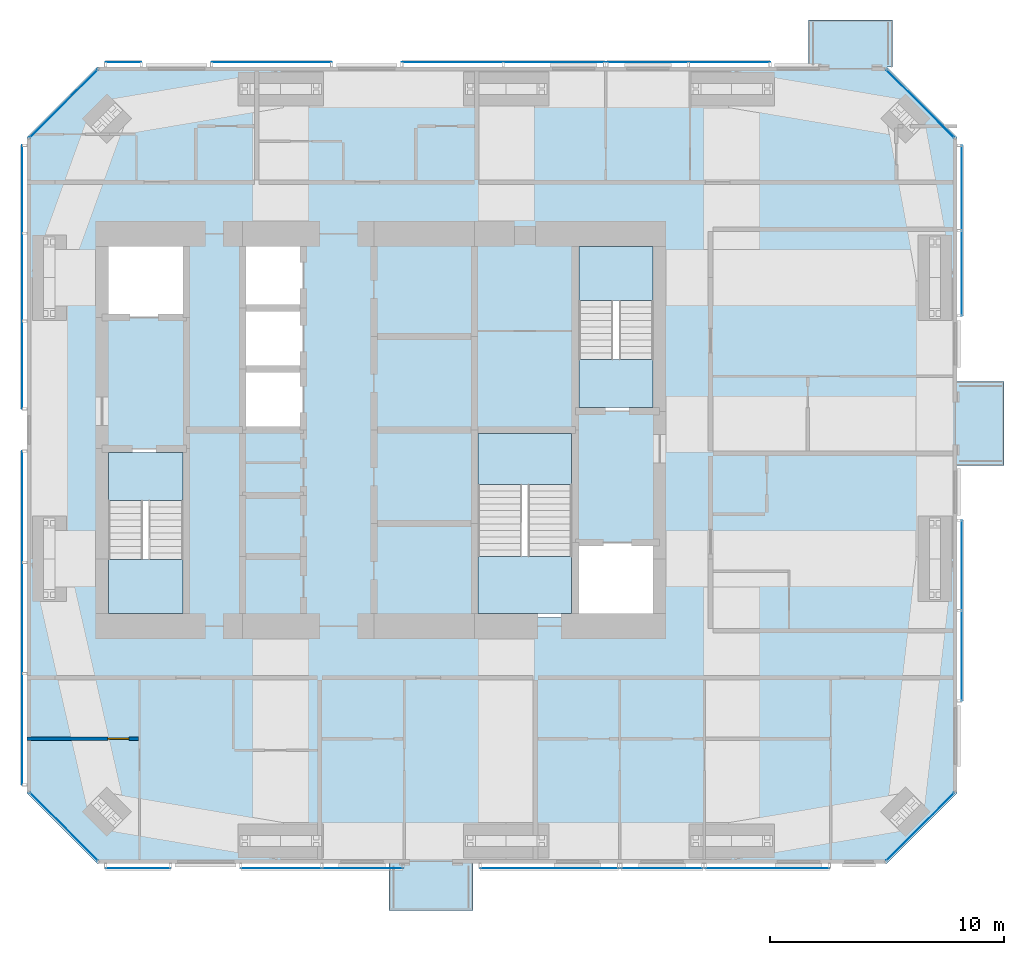
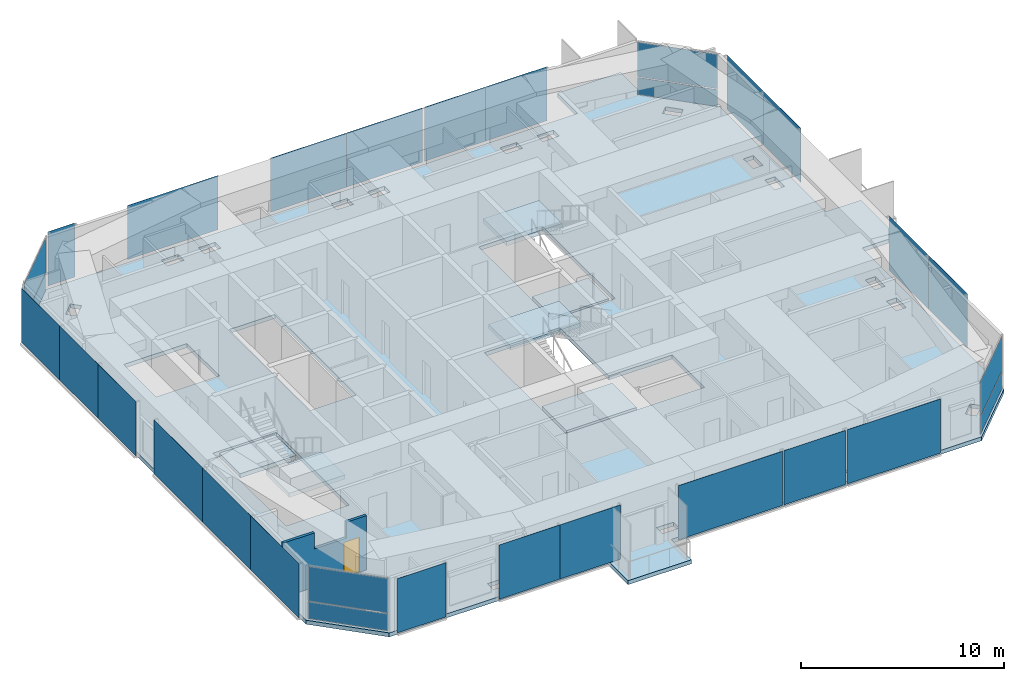
# One storey, part 11 of 18: 30 plates, 7 slabs, 1 door, 1 wall, 1 opening, 20 elements without a shape of their own.
"""IFC4 building model written with IfcOpenShell, lengths in metres."""

from ifc_helpers import new_model, si_unit, direction, frame, frame_2d, origin, origin_2d, place, context, subcontext, project, spatial, polyline, rectangle, outline, extrude, material, layer, layer_set, constituent, constituent_set, type_object, element, fill, aggregate, save


model = new_model("IFC4")

# Units and contexts
model_context = context("Model", 3, precision=1e-05, world=origin(), true_north=direction((0.0, 1.0)))
body_context = subcontext(model_context, "Body", "Model", "MODEL_VIEW")
ifc_project = project(units=[si_unit("LENGTHUNIT", "METRE"), si_unit("AREAUNIT", "SQUARE_METRE"), si_unit("VOLUMEUNIT", "CUBIC_METRE"), si_unit("PLANEANGLEUNIT", "RADIAN"), si_unit("MASSUNIT", "GRAM", prefix="KILO")], contexts=[model_context])

# Site, building, storey
site_placement = place(None, origin())
site = spatial("IfcSite", under=ifc_project, at=site_placement, CompositionType="ELEMENT")
building_placement = place(site_placement, origin())
building = spatial("IfcBuilding", under=site, at=building_placement, Name="Jalousie Tower", CompositionType="ELEMENT")
storey_placement = place(building_placement, frame((0.0, 0.0, 228.449951171875)))
storey = spatial("IfcBuildingStorey", under=building, at=storey_placement, Name="L62", CompositionType="ELEMENT", Elevation=228.449951171875)

# Curtain wall, plates
ifc_material_1 = material(Name="Aluminium curtain wall", Category="aluminium")
curtain_wall_type_1 = type_object("IfcCurtainWallType", Name="CORNER WINDOW WALL", PredefinedType="USERDEFINED", material=ifc_material_1)
curtain_wall_1_placement = place(storey_placement, origin())
curtain_wall_1 = element("IfcCurtainWall", 1, at=curtain_wall_1_placement, inside=storey, type_object=curtain_wall_type_1, Name="Corner Window Wall L62 2", ObjectType="CORNER WINDOW WALL", PredefinedType="USERDEFINED")
ifc_material_2 = material(Name="Laminated impact-rated spandrel glass", Category="glass")
ifc_layer_1 = layer(ifc_material_2, 0.028076171875)
ifc_layer_set_1 = layer_set([ifc_layer_1], Name="Laminated impact-rated spandrel glass")
plate_type_1 = type_object("IfcPlateType", Name="CORNER WINDOW WALL PANEL", PredefinedType="CURTAIN_PANEL", material=ifc_layer_set_1)
plate_1_placement = place(storey_placement, frame((54.9306640625, 1.5693359375, 0.06005859375), z_axis=(0.0, 0.0, 1.0), x_axis=(0.707106781187, 0.707106781187, 0.0)))
plate_1 = element("IfcPlate", 2, at=plate_1_placement, type_object=plate_type_1, Name="CW-C panel 1.1", PredefinedType="CURTAIN_PANEL", context=body_context, shape_type="SweptSolid", body=[
    extrude(rectangle(XDim=4.071533203125, YDim=0.028076171875, at=origin_2d()), origin(), (0.0, 0.0, 1.0), 1.010009765625),
])
plate_2_placement = place(storey_placement, frame((54.9306640625, 1.5693359375, 1.1298828125), z_axis=(0.0, 0.0, 1.0), x_axis=(0.707106781187, 0.707106781187, 0.0)))
plate_2 = element("IfcPlate", 3, at=plate_2_placement, type_object=plate_type_1, Name="CW-C panel 1.2", PredefinedType="CURTAIN_PANEL", context=body_context, shape_type="SweptSolid", body=[
    extrude(rectangle(XDim=4.071533203125, YDim=0.028076171875, at=origin_2d()), origin(), (0.0, 0.0, 1.0), 2.070068359375),
])
aggregate(curtain_wall_1, [plate_1, plate_2])

curtain_wall_2_placement = place(storey_placement, origin())
curtain_wall_2 = element("IfcCurtainWall", 4, at=curtain_wall_2_placement, inside=storey, type_object=curtain_wall_type_1, Name="Corner Window Wall L62 4", ObjectType="CORNER WINDOW WALL", PredefinedType="USERDEFINED")
plate_3_placement = place(storey_placement, frame((54.9306640625, 32.4306640625, 0.06005859375), z_axis=(0.0, 0.0, 1.0), x_axis=(-0.707106781187, 0.707106781187, 0.0)))
plate_3 = element("IfcPlate", 5, at=plate_3_placement, type_object=plate_type_1, Name="CW-C panel 1.1", PredefinedType="CURTAIN_PANEL", context=body_context, shape_type="SweptSolid", body=[
    extrude(rectangle(XDim=4.071533203125, YDim=0.028076171875, at=origin_2d()), origin(), (0.0, 0.0, 1.0), 1.010009765625),
])
plate_4_placement = place(storey_placement, frame((54.9306640625, 32.4306640625, 1.1298828125), z_axis=(0.0, 0.0, 1.0), x_axis=(-0.707106781187, 0.707106781187, 0.0)))
plate_4 = element("IfcPlate", 6, at=plate_4_placement, type_object=plate_type_1, Name="CW-C panel 1.2", PredefinedType="CURTAIN_PANEL", context=body_context, shape_type="SweptSolid", body=[
    extrude(rectangle(XDim=4.071533203125, YDim=0.028076171875, at=origin_2d()), origin(), (0.0, 0.0, 1.0), 2.070068359375),
])
aggregate(curtain_wall_2, [plate_3, plate_4])

curtain_wall_3_placement = place(storey_placement, origin())
curtain_wall_3 = element("IfcCurtainWall", 7, at=curtain_wall_3_placement, inside=storey, type_object=curtain_wall_type_1, Name="Corner Window Wall L62 6", ObjectType="CORNER WINDOW WALL", PredefinedType="USERDEFINED")
plate_5_placement = place(storey_placement, frame((18.369384765625, 32.4306640625, 0.06005859375), z_axis=(0.0, 0.0, 1.0), x_axis=(-0.707106781187, -0.707106781187, 0.0)))
plate_5 = element("IfcPlate", 8, at=plate_5_placement, type_object=plate_type_1, Name="CW-C panel 1.1", PredefinedType="CURTAIN_PANEL", context=body_context, shape_type="SweptSolid", body=[
    extrude(rectangle(XDim=4.071533203125, YDim=0.028076171875, at=origin_2d()), origin(), (0.0, 0.0, 1.0), 1.010009765625),
])
plate_6_placement = place(storey_placement, frame((18.369384765625, 32.4306640625, 1.1298828125), z_axis=(0.0, 0.0, 1.0), x_axis=(-0.707106781187, -0.707106781187, 0.0)))
plate_6 = element("IfcPlate", 9, at=plate_6_placement, type_object=plate_type_1, Name="CW-C panel 1.2", PredefinedType="CURTAIN_PANEL", context=body_context, shape_type="SweptSolid", body=[
    extrude(rectangle(XDim=4.071533203125, YDim=0.028076171875, at=origin_2d()), origin(), (0.0, 0.0, 1.0), 2.070068359375),
])
aggregate(curtain_wall_3, [plate_5, plate_6])

curtain_wall_4_placement = place(storey_placement, origin())
curtain_wall_4 = element("IfcCurtainWall", 10, at=curtain_wall_4_placement, inside=storey, type_object=curtain_wall_type_1, Name="Corner Window Wall L62 8", ObjectType="CORNER WINDOW WALL", PredefinedType="USERDEFINED")
plate_7_placement = place(storey_placement, frame((18.369384765625, 1.5693359375, 0.06005859375), z_axis=(0.0, 0.0, 1.0), x_axis=(0.707106781187, -0.707106781187, 0.0)))
plate_7 = element("IfcPlate", 11, at=plate_7_placement, type_object=plate_type_1, Name="CW-C panel 1.1", PredefinedType="CURTAIN_PANEL", context=body_context, shape_type="SweptSolid", body=[
    extrude(rectangle(XDim=4.071533203125, YDim=0.028076171875, at=origin_2d()), origin(), (0.0, 0.0, 1.0), 1.010009765625),
])
plate_8_placement = place(storey_placement, frame((18.369384765625, 1.5693359375, 1.1298828125), z_axis=(0.0, 0.0, 1.0), x_axis=(0.707106781187, -0.707106781187, 0.0)))
plate_8 = element("IfcPlate", 12, at=plate_8_placement, type_object=plate_type_1, Name="CW-C panel 1.2", PredefinedType="CURTAIN_PANEL", context=body_context, shape_type="SweptSolid", body=[
    extrude(rectangle(XDim=4.071533203125, YDim=0.028076171875, at=origin_2d()), origin(), (0.0, 0.0, 1.0), 2.070068359375),
])
aggregate(curtain_wall_4, [plate_7, plate_8])

# Slab
ifc_material_3 = material(Name="Concrete f'c 40 MPa", Category="concrete")
ifc_layer_2 = layer(ifc_material_3, 0.239990234375)
ifc_layer_set_2 = layer_set([ifc_layer_2], Name="Concrete f'c 40 MPa")
slab_type_1 = type_object("IfcSlabType", Name="FLOOR SLAB 240", PredefinedType="FLOOR", material=ifc_layer_set_2)
slab_1_placement = place(storey_placement, frame((0.0, 0.0, -0.239990234375)))
element("IfcSlab", 13, at=slab_1_placement, inside=storey, type_object=slab_type_1, Name="L62 floor slab", PredefinedType="FLOOR", context=body_context, shape_type="SweptSolid", body=[
    extrude(outline(polyline([(19.800048828125, 34.0), (50.148681640625, 34.0), (50.148681640625, 36.0), (53.748779296875, 36.0), (53.748779296875, 34.0), (53.5, 34.0), (56.5, 31.0), (56.5, 20.574951171875), (58.5, 20.574951171875), (58.5, 16.97509765625), (56.5, 16.97509765625), (56.5, 3.0), (53.5, 0.0), (35.840087890625, 0.0), (35.840087890625, -2.0), (32.239990234375, -2.0), (32.239990234375, 0.0), (19.800048828125, 0.0), (16.800048828125, 3.0), (16.800048828125, 31.0), (19.800048828125, 34.0)]), holes=[polyline([(55.263916015625, 24.425537109375), (55.263916015625, 23.47509765625), (55.836181640625, 23.47509765625), (55.836181640625, 24.425537109375), (55.263916015625, 24.425537109375)]), polyline([(55.263916015625, 14.52490234375), (55.263916015625, 13.574462890625), (55.836181640625, 13.574462890625), (55.836181640625, 14.52490234375), (55.263916015625, 14.52490234375)]), polyline([(55.263916015625, 12.425537109375), (55.263916015625, 11.47509765625), (55.836181640625, 11.47509765625), (55.836181640625, 12.425537109375), (55.263916015625, 12.425537109375)]), polyline([(55.263916015625, 25.574462890625), (55.836181640625, 25.574462890625), (55.836181640625, 26.52490234375), (55.263916015625, 26.52490234375), (55.263916015625, 25.574462890625)]), polyline([(54.40869140625, 2.727783203125), (53.772216796875, 2.09130859375), (54.177001953125, 1.6865234375), (54.8134765625, 2.322998046875), (54.40869140625, 2.727783203125)]), polyline([(54.8134765625, 31.677001953125), (54.177001953125, 32.3134765625), (53.772216796875, 31.90869140625), (54.40869140625, 31.272216796875), (54.8134765625, 31.677001953125)]), polyline([(48.39990234375, 32.763916015625), (48.39990234375, 33.336181640625), (47.449462890625, 33.336181640625), (47.449462890625, 32.763916015625), (48.39990234375, 32.763916015625)]), polyline([(48.39990234375, 0.663818359375), (48.39990234375, 1.236083984375), (47.449462890625, 1.236083984375), (47.449462890625, 0.663818359375), (48.39990234375, 0.663818359375)]), polyline([(45.35009765625, 1.236083984375), (45.35009765625, 0.663818359375), (46.300537109375, 0.663818359375), (46.300537109375, 1.236083984375), (45.35009765625, 1.236083984375)]), polyline([(45.35009765625, 32.763916015625), (46.300537109375, 32.763916015625), (46.300537109375, 33.336181640625), (45.35009765625, 33.336181640625), (45.35009765625, 32.763916015625)]), polyline([(40.199951171875, 26.5), (40.199951171875, 19.300048828125), (43.800048828125, 19.300048828125), (43.800048828125, 26.5), (40.199951171875, 26.5)]), polyline([(40.199951171875, 13.699951171875), (40.199951171875, 18.5), (35.89990234375, 18.5), (35.89990234375, 10.5), (43.800048828125, 10.5), (43.800048828125, 13.699951171875), (40.199951171875, 13.699951171875)]), polyline([(38.77490234375, 33.336181640625), (37.824462890625, 33.336181640625), (37.824462890625, 32.763916015625), (38.77490234375, 32.763916015625), (38.77490234375, 33.336181640625)]), polyline([(38.77490234375, 1.236083984375), (37.824462890625, 1.236083984375), (37.824462890625, 0.663818359375), (38.77490234375, 0.663818359375), (38.77490234375, 1.236083984375)]), polyline([(35.72509765625, 32.763916015625), (36.675537109375, 32.763916015625), (36.675537109375, 33.336181640625), (35.72509765625, 33.336181640625), (35.72509765625, 32.763916015625)]), polyline([(35.72509765625, 0.663818359375), (36.675537109375, 0.663818359375), (36.675537109375, 1.236083984375), (35.72509765625, 1.236083984375), (35.72509765625, 0.663818359375)]), polyline([(29.14990234375, 1.236083984375), (28.199462890625, 1.236083984375), (28.199462890625, 0.663818359375), (29.14990234375, 0.663818359375), (29.14990234375, 1.236083984375)]), polyline([(28.199462890625, 32.763916015625), (29.14990234375, 32.763916015625), (29.14990234375, 33.336181640625), (28.199462890625, 33.336181640625), (28.199462890625, 32.763916015625)]), polyline([(26.0, 26.5), (26.0, 18.5), (28.60009765625, 18.5), (28.60009765625, 26.5), (26.0, 26.5)]), polyline([(27.050537109375, 33.336181640625), (26.10009765625, 33.336181640625), (26.10009765625, 32.763916015625), (27.050537109375, 32.763916015625), (27.050537109375, 33.336181640625)]), polyline([(27.050537109375, 1.236083984375), (26.10009765625, 1.236083984375), (26.10009765625, 0.663818359375), (27.050537109375, 0.663818359375), (27.050537109375, 1.236083984375)]), polyline([(20.0, 26.5), (20.0, 23.300048828125), (23.60009765625, 23.300048828125), (23.60009765625, 26.5), (20.0, 26.5)]), polyline([(20.0, 17.699951171875), (20.0, 10.5), (23.60009765625, 10.5), (23.60009765625, 17.699951171875), (20.0, 17.699951171875)]), polyline([(20.727783203125, 2.09130859375), (20.09130859375, 2.727783203125), (19.6865234375, 2.322998046875), (20.322998046875, 1.6865234375), (20.727783203125, 2.09130859375)]), polyline([(20.727783203125, 31.90869140625), (20.322998046875, 32.3134765625), (19.6865234375, 31.677001953125), (20.09130859375, 31.272216796875), (20.727783203125, 31.90869140625)]), polyline([(17.4638671875, 26.52490234375), (17.4638671875, 25.574462890625), (18.0361328125, 25.574462890625), (18.0361328125, 26.52490234375), (17.4638671875, 26.52490234375)]), polyline([(17.4638671875, 12.425537109375), (17.4638671875, 11.47509765625), (18.0361328125, 11.47509765625), (18.0361328125, 12.425537109375), (17.4638671875, 12.425537109375)]), polyline([(18.0361328125, 23.47509765625), (18.0361328125, 24.425537109375), (17.4638671875, 24.425537109375), (17.4638671875, 23.47509765625), (18.0361328125, 23.47509765625)]), polyline([(17.4638671875, 13.574462890625), (18.0361328125, 13.574462890625), (18.0361328125, 14.52490234375), (17.4638671875, 14.52490234375), (17.4638671875, 13.574462890625)])]), origin(), (0.0, 0.0, 1.0), 0.239990234375),
])

# Curtain wall, plate
ifc_material_4 = material(Name="Perforated aluminium sheet", Category="aluminium")
curtain_wall_type_2 = type_object("IfcCurtainWallType", Name="SOLAR SCREEN SS-2", PredefinedType="USERDEFINED", material=ifc_material_4)
curtain_wall_5_placement = place(storey_placement, origin())
curtain_wall_5 = element("IfcCurtainWall", 14, at=curtain_wall_5_placement, inside=storey, type_object=curtain_wall_type_2, Name="Solar screen L62", ObjectType="SOLAR SCREEN SS-2", PredefinedType="USERDEFINED")
ifc_material_5 = material(Name="Perforated aluminium sheet", Category="aluminium")
ifc_layer_3 = layer(ifc_material_5, 0.006103515625)
ifc_layer_set_3 = layer_set([ifc_layer_3], Name="Perforated aluminium sheet")
plate_type_2 = type_object("IfcPlateType", Name="SOLAR SCREEN SS-2 PANEL", PredefinedType="CURTAIN_PANEL", material=ifc_layer_set_3)
plate_9_placement = place(storey_placement, frame((21.53759765625, -0.201171875, 0.0), z_axis=(0.0, 0.0, 1.0), x_axis=(1.0, 0.0, 0.0)))
plate_9 = element("IfcPlate", 15, at=plate_9_placement, type_object=plate_type_2, Name="SS2 perforated panel 1", PredefinedType="CURTAIN_PANEL", context=body_context, shape_type="SweptSolid", body=[
    extrude(rectangle(XDim=2.7724609375, YDim=0.006103515625, at=origin_2d()), origin(), (0.0, 0.0, 1.0), 3.260009765625),
])
aggregate(curtain_wall_5, [plate_9])

# Curtain wall, plates
curtain_wall_6_placement = place(storey_placement, origin())
curtain_wall_6 = element("IfcCurtainWall", 16, at=curtain_wall_6_placement, inside=storey, type_object=curtain_wall_type_2, Name="Solar screen L62", ObjectType="SOLAR SCREEN SS-2", PredefinedType="USERDEFINED")
plate_10_placement = place(storey_placement, frame((27.6552734375, -0.201171875, 0.0), z_axis=(0.0, 0.0, 1.0), x_axis=(1.0, 0.0, 0.0)))
plate_10 = element("IfcPlate", 17, at=plate_10_placement, type_object=plate_type_2, Name="SS2 perforated panel 1", PredefinedType="CURTAIN_PANEL", context=body_context, shape_type="SweptSolid", body=[
    extrude(rectangle(XDim=3.463134765625, YDim=0.006103515625, at=origin_2d()), origin(), (0.0, 0.0, 1.0), 3.260009765625),
])
plate_11_placement = place(storey_placement, frame((31.118408203125, -0.201171875, 0.0), z_axis=(0.0, 0.0, 1.0), x_axis=(1.0, 0.0, 0.0)))
plate_11 = element("IfcPlate", 18, at=plate_11_placement, type_object=plate_type_2, Name="SS2 perforated panel 2", PredefinedType="CURTAIN_PANEL", context=body_context, shape_type="SweptSolid", body=[
    extrude(rectangle(XDim=3.463134765625, YDim=0.006103515625, at=origin_2d()), origin(), (0.0, 0.0, 1.0), 3.260009765625),
])
aggregate(curtain_wall_6, [plate_10, plate_11])

# Curtain wall, plate
curtain_wall_7_placement = place(storey_placement, origin())
curtain_wall_7 = element("IfcCurtainWall", 19, at=curtain_wall_7_placement, inside=storey, type_object=curtain_wall_type_2, Name="Solar screen L62", ObjectType="SOLAR SCREEN SS-2", PredefinedType="USERDEFINED")
plate_12_placement = place(storey_placement, frame((39.094970703125, -0.201171875, 0.0), z_axis=(0.0, 0.0, 1.0), x_axis=(1.0, 0.0, 0.0)))
plate_12 = element("IfcPlate", 20, at=plate_12_placement, type_object=plate_type_2, Name="SS2 perforated panel 1", PredefinedType="CURTAIN_PANEL", context=body_context, shape_type="SweptSolid", body=[
    extrude(rectangle(XDim=5.909912109375, YDim=0.006103515625, at=origin_2d()), origin(), (0.0, 0.0, 1.0), 3.260009765625),
])
aggregate(curtain_wall_7, [plate_12])

curtain_wall_8_placement = place(storey_placement, origin())
curtain_wall_8 = element("IfcCurtainWall", 21, at=curtain_wall_8_placement, inside=storey, type_object=curtain_wall_type_2, Name="Solar screen L62", ObjectType="SOLAR SCREEN SS-2", PredefinedType="USERDEFINED")
plate_13_placement = place(storey_placement, frame((43.89990234375, -0.201171875, 0.0), z_axis=(0.0, 0.0, 1.0), x_axis=(1.0, 0.0, 0.0)))
plate_13 = element("IfcPlate", 22, at=plate_13_placement, type_object=plate_type_2, Name="SS2 perforated panel 1", PredefinedType="CURTAIN_PANEL", context=body_context, shape_type="SweptSolid", body=[
    extrude(rectangle(XDim=3.5, YDim=0.006103515625, at=origin_2d()), origin(), (0.0, 0.0, 1.0), 3.260009765625),
])
aggregate(curtain_wall_8, [plate_13])

curtain_wall_9_placement = place(storey_placement, origin())
curtain_wall_9 = element("IfcCurtainWall", 23, at=curtain_wall_9_placement, inside=storey, type_object=curtain_wall_type_2, Name="Solar screen L62", ObjectType="SOLAR SCREEN SS-2", PredefinedType="USERDEFINED")
plate_14_placement = place(storey_placement, frame((48.39990234375, -0.201171875, 0.0), z_axis=(0.0, 0.0, 1.0), x_axis=(1.0, 0.0, 0.0)))
plate_14 = element("IfcPlate", 24, at=plate_14_placement, type_object=plate_type_2, Name="SS2 perforated panel 1", PredefinedType="CURTAIN_PANEL", context=body_context, shape_type="SweptSolid", body=[
    extrude(rectangle(XDim=5.300048828125, YDim=0.006103515625, at=origin_2d()), origin(), (0.0, 0.0, 1.0), 3.260009765625),
])
aggregate(curtain_wall_9, [plate_14])

# Curtain wall, plates
curtain_wall_10_placement = place(storey_placement, origin())
curtain_wall_10 = element("IfcCurtainWall", 25, at=curtain_wall_10_placement, inside=storey, type_object=curtain_wall_type_2, Name="Solar screen L62", ObjectType="SOLAR SCREEN SS-2", PredefinedType="USERDEFINED")
plate_15_placement = place(storey_placement, frame((56.701171875, 8.86572265625, 0.0), z_axis=(0.0, 0.0, 1.0), x_axis=(0.0, 1.0, 0.0)))
plate_15 = element("IfcPlate", 26, at=plate_15_placement, type_object=plate_type_2, Name="SS2 perforated panel 1", PredefinedType="CURTAIN_PANEL", context=body_context, shape_type="SweptSolid", body=[
    extrude(rectangle(XDim=3.855224609375, YDim=0.006103515625, at=origin_2d()), origin(), (0.0, 0.0, 1.0), 3.260009765625),
])
plate_16_placement = place(storey_placement, frame((56.701171875, 12.720947265625, 0.0), z_axis=(0.0, 0.0, 1.0), x_axis=(0.0, 1.0, 0.0)))
plate_16 = element("IfcPlate", 27, at=plate_16_placement, type_object=plate_type_2, Name="SS2 perforated panel 2", PredefinedType="CURTAIN_PANEL", context=body_context, shape_type="SweptSolid", body=[
    extrude(rectangle(XDim=3.855224609375, YDim=0.006103515625, at=origin_2d()), origin(), (0.0, 0.0, 1.0), 3.260009765625),
])
aggregate(curtain_wall_10, [plate_15, plate_16])

curtain_wall_11_placement = place(storey_placement, origin())
curtain_wall_11 = element("IfcCurtainWall", 28, at=curtain_wall_11_placement, inside=storey, type_object=curtain_wall_type_2, Name="Solar screen L62", ObjectType="SOLAR SCREEN SS-2", PredefinedType="USERDEFINED")
plate_17_placement = place(storey_placement, frame((56.701171875, 25.193359375, 0.0), z_axis=(0.0, 0.0, 1.0), x_axis=(0.0, 1.0, 0.0)))
plate_17 = element("IfcPlate", 29, at=plate_17_placement, type_object=plate_type_2, Name="SS2 perforated panel 1", PredefinedType="CURTAIN_PANEL", context=body_context, shape_type="SweptSolid", body=[
    extrude(rectangle(XDim=3.636962890625, YDim=0.006103515625, at=origin_2d()), origin(), (0.0, 0.0, 1.0), 3.260009765625),
])
plate_18_placement = place(storey_placement, frame((56.701171875, 28.830322265625, 0.0), z_axis=(0.0, 0.0, 1.0), x_axis=(0.0, 1.0, 0.0)))
plate_18 = element("IfcPlate", 30, at=plate_18_placement, type_object=plate_type_2, Name="SS2 perforated panel 2", PredefinedType="CURTAIN_PANEL", context=body_context, shape_type="SweptSolid", body=[
    extrude(rectangle(XDim=3.636962890625, YDim=0.006103515625, at=origin_2d()), origin(), (0.0, 0.0, 1.0), 3.260009765625),
])
aggregate(curtain_wall_11, [plate_17, plate_18])

curtain_wall_12_placement = place(storey_placement, origin())
curtain_wall_12 = element("IfcCurtainWall", 31, at=curtain_wall_12_placement, inside=storey, type_object=curtain_wall_type_2, Name="Solar screen L62", ObjectType="SOLAR SCREEN SS-2", PredefinedType="USERDEFINED")
plate_19_placement = place(storey_placement, frame((46.772705078125, 34.201171875, 0.0), z_axis=(0.0, 0.0, 1.0), x_axis=(-1.0, 0.0, 0.0)))
plate_19 = element("IfcPlate", 32, at=plate_19_placement, type_object=plate_type_2, Name="SS2 perforated panel 1", PredefinedType="CURTAIN_PANEL", context=body_context, shape_type="SweptSolid", body=[
    extrude(rectangle(XDim=3.481689453125, YDim=0.006103515625, at=origin_2d()), origin(), (0.0, 0.0, 1.0), 3.260009765625),
])
plate_20_placement = place(storey_placement, frame((43.291015625, 34.201171875, 0.0), z_axis=(0.0, 0.0, 1.0), x_axis=(-1.0, 0.0, 0.0)))
plate_20 = element("IfcPlate", 33, at=plate_20_placement, type_object=plate_type_2, Name="SS2 perforated panel 2", PredefinedType="CURTAIN_PANEL", context=body_context, shape_type="SweptSolid", body=[
    extrude(rectangle(XDim=3.481689453125, YDim=0.006103515625, at=origin_2d()), origin(), (0.0, 0.0, 1.0), 3.260009765625),
])
aggregate(curtain_wall_12, [plate_19, plate_20])

curtain_wall_13_placement = place(storey_placement, origin())
curtain_wall_13 = element("IfcCurtainWall", 34, at=curtain_wall_13_placement, inside=storey, type_object=curtain_wall_type_2, Name="Solar screen L62", ObjectType="SOLAR SCREEN SS-2", PredefinedType="USERDEFINED")
plate_21_placement = place(storey_placement, frame((39.28759765625, 34.201171875, 0.0), z_axis=(0.0, 0.0, 1.0), x_axis=(-1.0, 0.0, 0.0)))
plate_21 = element("IfcPlate", 35, at=plate_21_placement, type_object=plate_type_2, Name="SS2 perforated panel 1", PredefinedType="CURTAIN_PANEL", context=body_context, shape_type="SweptSolid", body=[
    extrude(rectangle(XDim=4.324951171875, YDim=0.006103515625, at=origin_2d()), origin(), (0.0, 0.0, 1.0), 3.260009765625),
])
plate_22_placement = place(storey_placement, frame((34.96240234375, 34.201171875, 0.0), z_axis=(0.0, 0.0, 1.0), x_axis=(-1.0, 0.0, 0.0)))
plate_22 = element("IfcPlate", 36, at=plate_22_placement, type_object=plate_type_2, Name="SS2 perforated panel 2", PredefinedType="CURTAIN_PANEL", context=body_context, shape_type="SweptSolid", body=[
    extrude(rectangle(XDim=4.324951171875, YDim=0.006103515625, at=origin_2d()), origin(), (0.0, 0.0, 1.0), 3.260009765625),
])
aggregate(curtain_wall_13, [plate_21, plate_22])

# Curtain wall, plate
curtain_wall_14_placement = place(storey_placement, origin())
curtain_wall_14 = element("IfcCurtainWall", 37, at=curtain_wall_14_placement, inside=storey, type_object=curtain_wall_type_2, Name="Solar screen L62", ObjectType="SOLAR SCREEN SS-2", PredefinedType="USERDEFINED")
plate_23_placement = place(storey_placement, frame((27.23779296875, 34.201171875, 0.0), z_axis=(0.0, 0.0, 1.0), x_axis=(-1.0, 0.0, 0.0)))
plate_23 = element("IfcPlate", 38, at=plate_23_placement, type_object=plate_type_2, Name="SS2 perforated panel 1", PredefinedType="CURTAIN_PANEL", context=body_context, shape_type="SweptSolid", body=[
    extrude(rectangle(XDim=5.12451171875, YDim=0.006103515625, at=origin_2d()), origin(), (0.0, 0.0, 1.0), 3.260009765625),
])
aggregate(curtain_wall_14, [plate_23])

curtain_wall_15_placement = place(storey_placement, origin())
curtain_wall_15 = element("IfcCurtainWall", 39, at=curtain_wall_15_placement, inside=storey, type_object=curtain_wall_type_2, Name="Solar screen L62", ObjectType="SOLAR SCREEN SS-2", PredefinedType="USERDEFINED")
plate_24_placement = place(storey_placement, frame((20.913330078125, 34.201171875, 0.0), z_axis=(0.0, 0.0, 1.0), x_axis=(-1.0, 0.0, 0.0)))
plate_24 = element("IfcPlate", 40, at=plate_24_placement, type_object=plate_type_2, Name="SS2 perforated panel 1", PredefinedType="CURTAIN_PANEL", context=body_context, shape_type="SweptSolid", body=[
    extrude(rectangle(XDim=1.5244140625, YDim=0.006103515625, at=origin_2d()), origin(), (0.0, 0.0, 1.0), 3.260009765625),
])
aggregate(curtain_wall_15, [plate_24])

# Curtain wall, plates
curtain_wall_16_placement = place(storey_placement, origin())
curtain_wall_16 = element("IfcCurtainWall", 41, at=curtain_wall_16_placement, inside=storey, type_object=curtain_wall_type_2, Name="Solar screen L62", ObjectType="SOLAR SCREEN SS-2", PredefinedType="USERDEFINED")
plate_25_placement = place(storey_placement, frame((16.598876953125, 28.77392578125, 0.0), z_axis=(0.0, 0.0, 1.0), x_axis=(0.0, -1.0, 0.0)))
plate_25 = element("IfcPlate", 42, at=plate_25_placement, type_object=plate_type_2, Name="SS2 perforated panel 1", PredefinedType="CURTAIN_PANEL", context=body_context, shape_type="SweptSolid", body=[
    extrude(rectangle(XDim=3.74951171875, YDim=0.006103515625, at=origin_2d()), origin(), (0.0, 0.0, 1.0), 3.260009765625),
])
plate_26_placement = place(storey_placement, frame((16.598876953125, 25.0244140625, 0.0), z_axis=(0.0, 0.0, 1.0), x_axis=(0.0, -1.0, 0.0)))
plate_26 = element("IfcPlate", 43, at=plate_26_placement, type_object=plate_type_2, Name="SS2 perforated panel 2", PredefinedType="CURTAIN_PANEL", context=body_context, shape_type="SweptSolid", body=[
    extrude(rectangle(XDim=3.74951171875, YDim=0.006103515625, at=origin_2d()), origin(), (0.0, 0.0, 1.0), 3.260009765625),
])
plate_27_placement = place(storey_placement, frame((16.598876953125, 21.27490234375, 0.0), z_axis=(0.0, 0.0, 1.0), x_axis=(0.0, -1.0, 0.0)))
plate_27 = element("IfcPlate", 44, at=plate_27_placement, type_object=plate_type_2, Name="SS2 perforated panel 3", PredefinedType="CURTAIN_PANEL", context=body_context, shape_type="SweptSolid", body=[
    extrude(rectangle(XDim=3.74951171875, YDim=0.006103515625, at=origin_2d()), origin(), (0.0, 0.0, 1.0), 3.260009765625),
])
aggregate(curtain_wall_16, [plate_25, plate_26, plate_27])

curtain_wall_17_placement = place(storey_placement, origin())
curtain_wall_17 = element("IfcCurtainWall", 45, at=curtain_wall_17_placement, inside=storey, type_object=curtain_wall_type_2, Name="Solar screen L62", ObjectType="SOLAR SCREEN SS-2", PredefinedType="USERDEFINED")
plate_28_placement = place(storey_placement, frame((16.598876953125, 15.22509765625, 0.0), z_axis=(0.0, 0.0, 1.0), x_axis=(0.0, -1.0, 0.0)))
plate_28 = element("IfcPlate", 46, at=plate_28_placement, type_object=plate_type_2, Name="SS2 perforated panel 1", PredefinedType="CURTAIN_PANEL", context=body_context, shape_type="SweptSolid", body=[
    extrude(rectangle(XDim=4.74951171875, YDim=0.006103515625, at=origin_2d()), origin(), (0.0, 0.0, 1.0), 3.260009765625),
])
plate_29_placement = place(storey_placement, frame((16.598876953125, 10.4755859375, 0.0), z_axis=(0.0, 0.0, 1.0), x_axis=(0.0, -1.0, 0.0)))
plate_29 = element("IfcPlate", 47, at=plate_29_placement, type_object=plate_type_2, Name="SS2 perforated panel 2", PredefinedType="CURTAIN_PANEL", context=body_context, shape_type="SweptSolid", body=[
    extrude(rectangle(XDim=4.74951171875, YDim=0.006103515625, at=origin_2d()), origin(), (0.0, 0.0, 1.0), 3.260009765625),
])
plate_30_placement = place(storey_placement, frame((16.598876953125, 5.72607421875, 0.0), z_axis=(0.0, 0.0, 1.0), x_axis=(0.0, -1.0, 0.0)))
plate_30 = element("IfcPlate", 48, at=plate_30_placement, type_object=plate_type_2, Name="SS2 perforated panel 3", PredefinedType="CURTAIN_PANEL", context=body_context, shape_type="SweptSolid", body=[
    extrude(rectangle(XDim=4.74951171875, YDim=0.006103515625, at=origin_2d()), origin(), (0.0, 0.0, 1.0), 3.260009765625),
])
aggregate(curtain_wall_17, [plate_28, plate_29, plate_30])

# Stair, slabs
ifc_material_6 = material(Name="Concrete f'c 40 MPa", Category="concrete")
stair_type = type_object("IfcStairType", Name="EXIT STAIR", PredefinedType="HALF_TURN_STAIR", material=ifc_material_6)
stair_1_placement = place(storey_placement, origin())
stair_1 = element("IfcStair", 49, at=stair_1_placement, inside=storey, type_object=stair_type, Name="Exit stair A L62", PredefinedType="HALF_TURN_STAIR")
ifc_material_7 = material(Name="Concrete f'c 40 MPa", Category="concrete")
ifc_layer_4 = layer(ifc_material_7, 0.25)
ifc_layer_set_4 = layer_set([ifc_layer_4], Name="Concrete f'c 40 MPa")
slab_type_2 = type_object("IfcSlabType", Name="STAIR LANDING 250", PredefinedType="LANDING", material=ifc_layer_set_4)
slab_2_placement = place(storey_placement, frame((0.0, 0.0, -0.25)))
slab_2 = element("IfcSlab", 50, at=slab_2_placement, type_object=slab_type_2, Name="ST-A landing 1", PredefinedType="LANDING", context=body_context, shape_type="SweptSolid", body=[
    extrude(outline(polyline([(20.27490234375, 15.49755859375), (23.449951171875, 15.49755859375), (23.449951171875, 17.550048828125), (20.27490234375, 17.550048828125), (20.27490234375, 15.49755859375)])), origin(), (0.0, 0.0, 1.0), 0.25),
])
slab_3_placement = place(storey_placement, frame((0.0, 0.0, 1.5)))
slab_3 = element("IfcSlab", 51, at=slab_3_placement, type_object=slab_type_2, Name="ST-A landing 2", PredefinedType="LANDING", context=body_context, shape_type="SweptSolid", body=[
    extrude(outline(polyline([(20.27490234375, 10.675048828125), (23.449951171875, 10.675048828125), (23.449951171875, 12.9775390625), (20.27490234375, 12.9775390625), (20.27490234375, 10.675048828125)])), origin(), (0.0, 0.0, 1.0), 0.25),
])
aggregate(stair_1, [slab_2, slab_3])

stair_2_placement = place(storey_placement, origin())
stair_2 = element("IfcStair", 52, at=stair_2_placement, inside=storey, type_object=stair_type, Name="Exit stair B L62", PredefinedType="HALF_TURN_STAIR")
slab_4_placement = place(storey_placement, frame((0.0, 0.0, -0.25)))
slab_4 = element("IfcSlab", 53, at=slab_4_placement, type_object=slab_type_2, Name="ST-B landing 1", PredefinedType="LANDING", context=body_context, shape_type="SweptSolid", body=[
    extrude(outline(polyline([(40.35009765625, 19.449951171875), (43.52490234375, 19.449951171875), (43.52490234375, 21.50244140625), (40.35009765625, 21.50244140625), (40.35009765625, 19.449951171875)])), origin(), (0.0, 0.0, 1.0), 0.25),
])
slab_5_placement = place(storey_placement, frame((0.0, 0.0, 1.5)))
slab_5 = element("IfcSlab", 54, at=slab_5_placement, type_object=slab_type_2, Name="ST-B landing 2", PredefinedType="LANDING", context=body_context, shape_type="SweptSolid", body=[
    extrude(outline(polyline([(40.35009765625, 24.0224609375), (43.52490234375, 24.0224609375), (43.52490234375, 26.324951171875), (40.35009765625, 26.324951171875), (40.35009765625, 24.0224609375)])), origin(), (0.0, 0.0, 1.0), 0.25),
])
aggregate(stair_2, [slab_4, slab_5])

stair_3_placement = place(storey_placement, origin())
stair_3 = element("IfcStair", 55, at=stair_3_placement, inside=storey, type_object=stair_type, Name="Exit stair C L62", PredefinedType="HALF_TURN_STAIR")
slab_6_placement = place(storey_placement, frame((0.0, 0.0, -0.25)))
slab_6 = element("IfcSlab", 56, at=slab_6_placement, type_object=slab_type_2, Name="ST-C landing 1", PredefinedType="LANDING", context=body_context, shape_type="SweptSolid", body=[
    extrude(outline(polyline([(36.050048828125, 10.675048828125), (40.050048828125, 10.675048828125), (40.050048828125, 13.097412109375), (36.050048828125, 13.097412109375), (36.050048828125, 10.675048828125)])), origin(), (0.0, 0.0, 1.0), 0.25),
])
slab_7_placement = place(storey_placement, frame((0.0, 0.0, 1.5)))
slab_7 = element("IfcSlab", 57, at=slab_7_placement, type_object=slab_type_2, Name="ST-C landing 2", PredefinedType="LANDING", context=body_context, shape_type="SweptSolid", body=[
    extrude(outline(polyline([(36.050048828125, 16.177490234375), (40.050048828125, 16.177490234375), (40.050048828125, 18.35009765625), (36.050048828125, 18.35009765625), (36.050048828125, 16.177490234375)])), origin(), (0.0, 0.0, 1.0), 0.25),
])
aggregate(stair_3, [slab_6, slab_7])

# Wall, opening, door
ifc_material_8 = material(Name="Concrete block ASTM C90", Category="concrete")
ifc_constituent_1 = constituent(ifc_material_8, Name="Body")
ifc_material_9 = material(Name="Render")
ifc_constituent_2 = constituent(ifc_material_9, Name="Finish")
ifc_constituent_set = constituent_set(constituents=[ifc_constituent_1, ifc_constituent_2])
wall_type = type_object("IfcWallType", Name="BATHROOM WALL 150", PredefinedType="PLUMBINGWALL", material=ifc_constituent_set)
wall_placement = place(storey_placement, frame((16.800048828125, 5.324951171875, 0.0), z_axis=(0.0, 0.0, 1.0), x_axis=(1.0, 0.0, 0.0)))
wall = element("IfcWall", 58, at=wall_placement, inside=storey, type_object=wall_type, Name="Bathroom Wall 150 L62", PredefinedType="PLUMBINGWALL", context=body_context, shape_type="SweptSolid", body=[
    extrude(outline(polyline([(0.0, 0.0), (4.75, 0.0), (4.75, 3.260009765625), (3.60498046875, 3.260009765625), (3.60498046875, 2.300048828125), (1.78955078125, 2.300048828125), (1.78955078125, 3.260009765625), (0.0, 3.260009765625), (0.0, 0.0)])), frame((0.0, 0.074951171875, 0.0), z_axis=(0.0, -1.0, 0.0), x_axis=(1.0, 0.0, 0.0)), (0.0, 0.0, 1.0), 0.14990234375),
])
opening_placement = place(wall_placement, frame((3.449951171875, 0.0, 0.0)))
opening = element("IfcOpeningElement", 59, at=opening_placement, cuts=wall, Name="Opening D3", PredefinedType="OPENING", context=body_context, shape_type="SweptSolid", body=[
    extrude(rectangle(XDim=0.89990234375, YDim=2.10009765625, at=frame_2d((0.449951171875, 1.050048828125))), frame((0.0, 0.0849609375, 0.0), z_axis=(0.0, -1.0, 0.0), x_axis=(1.0, 0.0, 0.0)), (0.0, 0.0, 1.0), 0.169921875),
])
ifc_material_10 = material(Name="Timber door", Category="wood")
door_type = type_object("IfcDoorType", Name="BATHROOM DOOR 900", OperationType="SINGLE_SWING_LEFT", PredefinedType="DOOR", material=ifc_material_10)
door_placement = place(opening_placement, origin())
door = element("IfcDoor", 60, at=door_placement, inside=storey, type_object=door_type, Name="Apartment 6201 bedroom 1 bathroom door", OperationType="SINGLE_SWING_RIGHT", OverallHeight=2.10009765625, OverallWidth=0.89990234375, PredefinedType="DOOR", context=body_context, shape_type="SweptSolid", body=[
    extrude(rectangle(XDim=0.89990234375, YDim=2.10009765625, at=frame_2d((0.449951171875, 1.050048828125))), frame((0.0, 0.02490234375, 0.0), z_axis=(0.0, -1.0, 0.0), x_axis=(1.0, 0.0, 0.0)), (0.0, 0.0, 1.0), 0.050048828125),
])
fill(opening, door)

save(model, "model.ifc")
